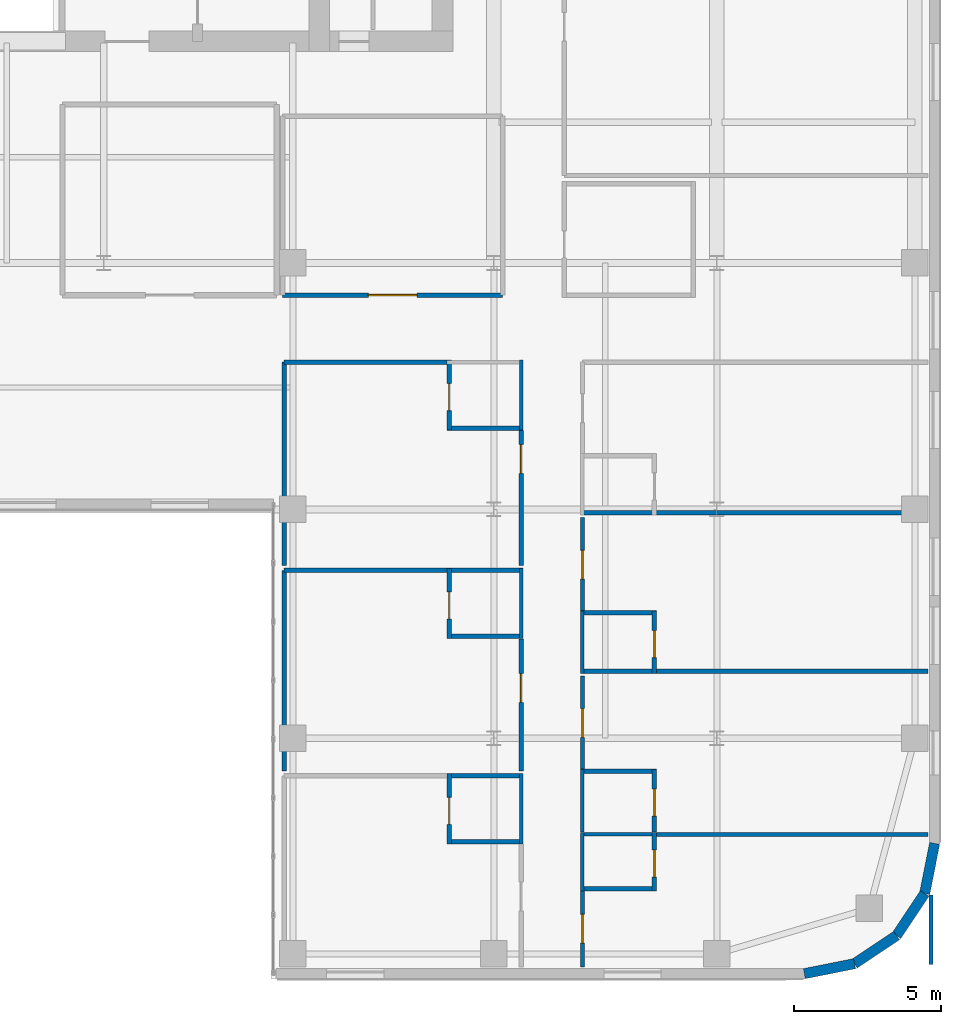
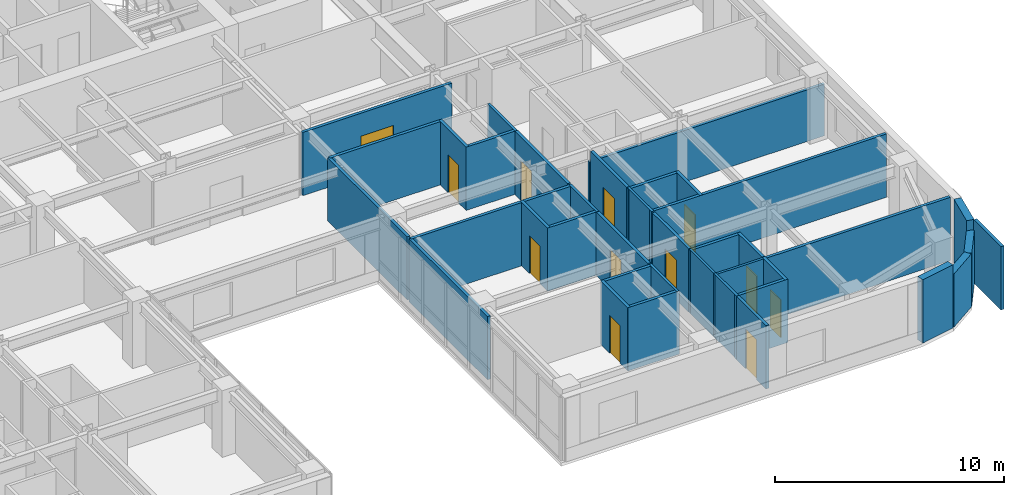
# One storey, part 16 of 25: 39 walls, 12 doors, 12 openings.
"""IFC4 building model written with IfcOpenShell, lengths in metres."""

from ifc_helpers import new_model, si_unit, direction, frame, frame_2d, origin, place, context, subcontext, project, spatial, rectangle, extrude, source, transform, mapped, material, layer, layer_set, type_object, type_shapes, element, fill, save


model = new_model("IFC4")

# Units and contexts
model_context = context("Model", 3, precision=1e-05, world=origin(), true_north=direction((0.0, 1.0)))
body_context = subcontext(model_context, "Body", "Model", "MODEL_VIEW")
ifc_project = project(units=[si_unit("LENGTHUNIT", "METRE"), si_unit("AREAUNIT", "SQUARE_METRE"), si_unit("VOLUMEUNIT", "CUBIC_METRE"), si_unit("PLANEANGLEUNIT", "RADIAN"), si_unit("MASSUNIT", "GRAM", prefix="KILO")], contexts=[model_context])

# Site, building, storey
site_placement = place(None, origin())
site = spatial("IfcSite", under=ifc_project, at=site_placement, CompositionType="ELEMENT")
building_placement = place(site_placement, origin())
building = spatial("IfcBuilding", under=site, at=building_placement, Name="Tolvann Quenvar Hotel", CompositionType="ELEMENT")
storey_placement = place(building_placement, frame((0.0, 0.0, 111.550048828125)))
storey = spatial("IfcBuildingStorey", under=building, at=storey_placement, Name="L28", CompositionType="ELEMENT", Elevation=111.550048828125)

# Walls
ifc_material_1 = material(Name="Kiln-fired red and buff architectural clay brickwork and terracotta masonry", Category="masonry")
ifc_layer_1 = layer(ifc_material_1, 0.35009765625)
ifc_layer_set_1 = layer_set([ifc_layer_1], Name="Kiln-fired red and buff architectural clay brickwork and terracotta masonry")
wall_type_1 = type_object("IfcWallType", Name="WALL_EXT_BRICK_350", PredefinedType="SOLIDWALL", material=ifc_layer_set_1)
wall_1_placement = place(storey_placement, frame((52.3828125, 0.175048828125, 0.0), z_axis=(0.0, 0.0, 1.0), x_axis=(0.980800971659, 0.195011420161, 0.0)))
element("IfcWall", 1, at=wall_1_placement, inside=storey, type_object=wall_type_1, Name="Exterior Chicago Brick Wall L28-E09", PredefinedType="SOLIDWALL", context=body_context, shape_type="SweptSolid", body=[
    extrude(rectangle(XDim=1.74267578125, YDim=0.35009765625, at=frame_2d((0.871337890625, 0.0))), origin(), (0.0, 0.0, 1.0), 3.369873046875),
])
for number, where, z_axis, x_axis, name in (
    (2, (54.092041015625, 0.514892578125, 0.0), (0.0, 0.0, 1.0), (0.831483840845, 0.55554893791, 0.0), "Exterior Chicago Brick Wall L28-E10"),
    (3, (55.526611328125, 1.473388671875, 0.0), (0.0, 0.0, 1.0), (0.55554893791, 0.831483840845, 0.0), "Exterior Chicago Brick Wall L28-E11"),
):
    element("IfcWall", number, at=place(storey_placement, frame(where, z_axis=z_axis, x_axis=x_axis)), inside=storey, type_object=wall_type_1, Name=name, PredefinedType="SOLIDWALL", context=body_context, shape_type="SweptSolid", body=[
        extrude(rectangle(XDim=1.725341796875, YDim=0.35009765625, at=frame_2d((0.86279296875, 0.0))), origin(), (0.0, 0.0, 1.0), 2.83203125),
    ])
wall_2_placement = place(storey_placement, frame((56.485107421875, 2.907958984375, 0.0), z_axis=(0.0, 0.0, 1.0), x_axis=(0.195011420161, 0.980800971659, 0.0)))
element("IfcWall", 4, at=wall_2_placement, inside=storey, type_object=wall_type_1, Name="Exterior Chicago Brick Wall L28-E12", PredefinedType="SOLIDWALL", context=body_context, shape_type="SweptSolid", body=[
    extrude(rectangle(XDim=1.74267578125, YDim=0.35009765625, at=frame_2d((0.871337890625, 0.0))), origin(), (0.0, 0.0, 1.0), 3.369873046875),
])
ifc_material_2 = material(Name="Moisture-resistant acoustic plumbing wall assembly")
ifc_layer_2 = layer(ifc_material_2, 0.1201171875)
ifc_layer_set_2 = layer_set([ifc_layer_2], Name="Moisture-resistant acoustic plumbing wall assembly")
wall_type_2 = type_object("IfcWallType", Name="WALL_PART_BATH_120", PredefinedType="PLUMBINGWALL", material=ifc_layer_set_2)
for number, where, z_axis, x_axis, name in (
    (5, (42.72998046875, 4.60009765625, 0.0), (0.0, 0.0, 1.0), (0.0, 1.0, 0.0), "Non-Rated Plumbing Partition PT-SPC-L28-ENS-EI01-E"),
    (6, (42.72998046875, 11.60009765625, 0.0), (0.0, 0.0, 1.0), (0.0, 1.0, 0.0), "Non-Rated Plumbing Partition PT-SPC-L28-ENS-EI02-E"),
):
    element("IfcWall", number, at=place(storey_placement, frame(where, z_axis=z_axis, x_axis=x_axis)), inside=storey, type_object=wall_type_2, Name=name, PredefinedType="PLUMBINGWALL", context=body_context, shape_type="SweptSolid", body=[
        extrude(rectangle(XDim=2.389892578125, YDim=0.1201171875, at=frame_2d((1.19482421875, 0.0))), origin(), (0.0, 0.0, 1.0), 3.369873046875),
    ])
wall_3_placement = place(storey_placement, frame((42.72998046875, 18.699951171875, 0.0), z_axis=(0.0, 0.0, 1.0), x_axis=(0.0, 1.0, 0.0)))
element("IfcWall", 7, at=wall_3_placement, inside=storey, type_object=wall_type_2, Name="Non-Rated Plumbing Partition PT-SPC-L28-ENS-EI03-E", PredefinedType="PLUMBINGWALL", context=body_context, shape_type="SweptSolid", body=[
    extrude(rectangle(XDim=2.39013671875, YDim=0.1201171875, at=frame_2d((1.195068359375, 0.0))), origin(), (0.0, 0.0, 1.0), 3.369873046875),
])
wall_4_placement = place(storey_placement, frame((44.75, 4.919921875, 0.0), z_axis=(0.0, 0.0, 1.0), x_axis=(1.0, 0.0, 0.0)))
element("IfcWall", 8, at=wall_4_placement, inside=storey, type_object=wall_type_2, Name="Non-Rated Plumbing Partition PT-SPC-L28-ENS-EO01-N", PredefinedType="PLUMBINGWALL", context=body_context, shape_type="SweptSolid", body=[
    extrude(rectangle(XDim=2.590087890625, YDim=0.1201171875, at=frame_2d((1.294921875, 0.0))), origin(), (0.0, 0.0, 1.0), 3.369873046875),
])
wall_5_placement = place(storey_placement, frame((44.820068359375, 3.0, 0.0), z_axis=(0.0, 0.0, 1.0), x_axis=(0.0, 1.0, 0.0)))
element("IfcWall", 9, at=wall_5_placement, inside=storey, type_object=wall_type_2, Name="Non-Rated Plumbing Partition PT-SPC-L28-ENS-EO01-W", PredefinedType="PLUMBINGWALL", context=body_context, shape_type="SweptSolid", body=[
    extrude(rectangle(XDim=1.989990234375, YDim=0.1201171875, at=frame_2d((0.9951171875, 0.0))), origin(), (0.0, 0.0, 1.0), 3.369873046875),
])
for number, where, z_axis, x_axis, name in (
    (10, (44.820068359375, 5.010009765625, 0.0), (0.0, 0.0, 1.0), (0.0, 1.0, 0.0), "Non-Rated Plumbing Partition PT-SPC-L28-ENS-EO02-W"),
    (11, (44.820068359375, 10.409912109375, 0.0), (0.0, 0.0, 1.0), (0.0, 1.0, 0.0), "Non-Rated Plumbing Partition PT-SPC-L28-ENS-EO03-W"),
):
    element("IfcWall", number, at=place(storey_placement, frame(where, z_axis=z_axis, x_axis=x_axis)), inside=storey, type_object=wall_type_2, Name=name, PredefinedType="PLUMBINGWALL", context=body_context, shape_type="SweptSolid", body=[
        extrude(rectangle(XDim=2.131103515625, YDim=0.1201171875, at=frame_2d((1.0654296875, 0.0))), origin(), (0.0, 0.0, 1.0), 3.369873046875),
    ])

# Wall, opening, door
ifc_material_3 = material(Name="Acoustic twin-stud fire-rated gypsum plasterboard partition")
ifc_layer_3 = layer(ifc_material_3, 0.14990234375)
ifc_layer_set_3 = layer_set([ifc_layer_3], Name="Acoustic twin-stud fire-rated gypsum plasterboard partition")
wall_type_3 = type_object("IfcWallType", Name="WALL_PART_SUITE_150", PredefinedType="PARTITIONING", material=ifc_layer_set_3)
wall_6_placement = place(storey_placement, frame((40.280029296875, 4.60009765625, 0.0), z_axis=(0.0, 0.0, 1.0), x_axis=(0.0, 1.0, 0.0)))
wall_6 = element("IfcWall", 12, at=wall_6_placement, inside=storey, type_object=wall_type_3, Name="Interior Partition PT-SPC-L28-ENS-EI01-ENT", PredefinedType="PARTITIONING", context=body_context, shape_type="SweptSolid", body=[
    extrude(rectangle(XDim=2.389892578125, YDim=0.14990234375, at=frame_2d((1.19482421875, 0.0))), origin(), (0.0, 0.0, 1.0), 3.369873046875),
])
opening_1_placement = place(wall_6_placement, frame((0.6650390625, 0.0, 0.0)))
opening_1 = element("IfcOpeningElement", 13, at=opening_1_placement, cuts=wall_6, Name="Opening WD-01", PredefinedType="OPENING", context=body_context, shape_type="SweptSolid", body=[
    extrude(rectangle(XDim=0.919921875, YDim=2.010009765625, at=frame_2d((0.4599609375, 1.0048828125))), frame((0.0, 0.0849609375, 0.0), z_axis=(0.0, -1.0, 0.0), x_axis=(1.0, 0.0, 0.0)), (0.0, 0.0, 1.0), 0.169921875),
])
ifc_material_4 = material(Name="Solid-core American oak acoustic fire door leaf in steel frame", Category="steel")
door_type_1 = type_object("IfcDoorType", Name="DOOR_WC_920", OperationType="NOTDEFINED", PredefinedType="DOOR", material=ifc_material_4)
shared_shape_1 = source(origin(), body_context, "Body", "SweptSolid", [
    extrude(rectangle(XDim=0.919921875, YDim=2.010009765625, at=frame_2d((0.4599609375, 1.0048828125))), frame((0.0, 0.02490234375, 0.0), z_axis=(0.0, -1.0, 0.0), x_axis=(1.0, 0.0, 0.0)), (0.0, 0.0, 1.0), 0.050048828125),
])
type_shapes(door_type_1, [shared_shape_1])
door_1_placement = place(opening_1_placement, origin())
door_1 = element("IfcDoor", 14, at=door_1_placement, inside=storey, type_object=door_type_1, Name="Interior Door DOOR-SPC-L28-ENS-EI01", OperationType="SINGLE_SWING_RIGHT", OverallHeight=2.010009765625, OverallWidth=0.919921875, PredefinedType="DOOR", context=body_context, shape_type="MappedRepresentation", body=[
    mapped(shared_shape_1, transform((0.0, 0.0, 0.0), x_axis=(1.0, 0.0, 0.0), y_axis=(0.0, 1.0, 0.0), z_axis=(0.0, 0.0, 1.0), scale=1.0)),
])
fill(opening_1, door_1)

# Walls
for number, where, z_axis, x_axis, name in (
    (15, (40.2099609375, 4.669921875, 0.0), (0.0, 0.0, 1.0), (1.0, 0.0, 0.0), "Interior Partition PT-SPC-L28-ENS-EI01-S"),
    (16, (40.2099609375, 6.919921875, 0.0), (0.0, 0.0, 1.0), (1.0, 0.0, 0.0), "Interior Partition PT-SPC-L28-ENS-EI01-N"),
):
    element("IfcWall", number, at=place(storey_placement, frame(where, z_axis=z_axis, x_axis=x_axis)), inside=storey, type_object=wall_type_3, Name=name, PredefinedType="PARTITIONING", context=body_context, shape_type="SweptSolid", body=[
        extrude(rectangle(XDim=2.590087890625, YDim=0.14990234375, at=frame_2d((1.294921875, 0.0))), origin(), (0.0, 0.0, 1.0), 3.369873046875),
    ])

# Wall, opening, door
wall_7_placement = place(storey_placement, frame((40.280029296875, 11.60009765625, 0.0), z_axis=(0.0, 0.0, 1.0), x_axis=(0.0, 1.0, 0.0)))
wall_7 = element("IfcWall", 17, at=wall_7_placement, inside=storey, type_object=wall_type_3, Name="Interior Partition PT-SPC-L28-ENS-EI02-ENT", PredefinedType="PARTITIONING", context=body_context, shape_type="SweptSolid", body=[
    extrude(rectangle(XDim=2.389892578125, YDim=0.14990234375, at=frame_2d((1.19482421875, 0.0))), origin(), (0.0, 0.0, 1.0), 3.369873046875),
])
opening_2_placement = place(wall_7_placement, frame((0.6650390625, 0.0, 0.0)))
opening_2 = element("IfcOpeningElement", 18, at=opening_2_placement, cuts=wall_7, Name="Opening WD-01", PredefinedType="OPENING", context=body_context, shape_type="SweptSolid", body=[
    extrude(rectangle(XDim=0.919921875, YDim=2.010009765625, at=frame_2d((0.4599609375, 1.0048828125))), frame((0.0, 0.0849609375, 0.0), z_axis=(0.0, -1.0, 0.0), x_axis=(1.0, 0.0, 0.0)), (0.0, 0.0, 1.0), 0.169921875),
])
door_2_placement = place(opening_2_placement, origin())
door_2 = element("IfcDoor", 19, at=door_2_placement, inside=storey, type_object=door_type_1, Name="Interior Door DOOR-SPC-L28-ENS-EI02", OperationType="SINGLE_SWING_LEFT", OverallHeight=2.010009765625, OverallWidth=0.919921875, PredefinedType="DOOR", context=body_context, shape_type="MappedRepresentation", body=[
    mapped(shared_shape_1, transform((0.0, 0.0, 0.0), x_axis=(1.0, 0.0, 0.0), y_axis=(0.0, 1.0, 0.0), z_axis=(0.0, 0.0, 1.0), scale=1.0)),
])
fill(opening_2, door_2)

# Walls
for number, where, z_axis, x_axis, name in (
    (20, (40.2099609375, 11.669921875, 0.0), (0.0, 0.0, 1.0), (1.0, 0.0, 0.0), "Interior Partition PT-SPC-L28-ENS-EI02-S"),
    (21, (40.2099609375, 13.919921875, 0.0), (0.0, 0.0, 1.0), (1.0, 0.0, 0.0), "Interior Partition PT-SPC-L28-ENS-EI02-N"),
):
    element("IfcWall", number, at=place(storey_placement, frame(where, z_axis=z_axis, x_axis=x_axis)), inside=storey, type_object=wall_type_3, Name=name, PredefinedType="PARTITIONING", context=body_context, shape_type="SweptSolid", body=[
        extrude(rectangle(XDim=2.590087890625, YDim=0.14990234375, at=frame_2d((1.294921875, 0.0))), origin(), (0.0, 0.0, 1.0), 3.369873046875),
    ])

# Wall, opening, door
wall_8_placement = place(storey_placement, frame((40.280029296875, 18.699951171875, 0.0), z_axis=(0.0, 0.0, 1.0), x_axis=(0.0, 1.0, 0.0)))
wall_8 = element("IfcWall", 22, at=wall_8_placement, inside=storey, type_object=wall_type_3, Name="Interior Partition PT-SPC-L28-ENS-EI03-ENT", PredefinedType="PARTITIONING", context=body_context, shape_type="SweptSolid", body=[
    extrude(rectangle(XDim=2.39013671875, YDim=0.14990234375, at=frame_2d((1.195068359375, 0.0))), origin(), (0.0, 0.0, 1.0), 3.369873046875),
])
opening_3_placement = place(wall_8_placement, frame((0.6650390625, 0.0, 0.0)))
opening_3 = element("IfcOpeningElement", 23, at=opening_3_placement, cuts=wall_8, Name="Opening WD-01", PredefinedType="OPENING", context=body_context, shape_type="SweptSolid", body=[
    extrude(rectangle(XDim=0.919921875, YDim=2.010009765625, at=frame_2d((0.4599609375, 1.0048828125))), frame((0.0, 0.0849609375, 0.0), z_axis=(0.0, -1.0, 0.0), x_axis=(1.0, 0.0, 0.0)), (0.0, 0.0, 1.0), 0.169921875),
])
door_3_placement = place(opening_3_placement, origin())
door_3 = element("IfcDoor", 24, at=door_3_placement, inside=storey, type_object=door_type_1, Name="Interior Door DOOR-SPC-L28-ENS-EI03", OperationType="SINGLE_SWING_RIGHT", OverallHeight=2.010009765625, OverallWidth=0.919921875, PredefinedType="DOOR", context=body_context, shape_type="MappedRepresentation", body=[
    mapped(shared_shape_1, transform((0.0, 0.0, 0.0), x_axis=(1.0, 0.0, 0.0), y_axis=(0.0, 1.0, 0.0), z_axis=(0.0, 0.0, 1.0), scale=1.0)),
])
fill(opening_3, door_3)

# Wall
wall_9_placement = place(storey_placement, frame((40.2099609375, 18.77001953125, 0.0), z_axis=(0.0, 0.0, 1.0), x_axis=(1.0, 0.0, 0.0)))
element("IfcWall", 25, at=wall_9_placement, inside=storey, type_object=wall_type_3, Name="Interior Partition PT-SPC-L28-ENS-EI03-S", PredefinedType="PARTITIONING", context=body_context, shape_type="SweptSolid", body=[
    extrude(rectangle(XDim=2.590087890625, YDim=0.14990234375, at=frame_2d((1.294921875, 0.0))), origin(), (0.0, 0.0, 1.0), 3.369873046875),
])

# Wall, opening, door
wall_10_placement = place(storey_placement, frame((47.27001953125, 3.0, 0.0), z_axis=(0.0, 0.0, 1.0), x_axis=(0.0, 1.0, 0.0)))
wall_10 = element("IfcWall", 26, at=wall_10_placement, inside=storey, type_object=wall_type_3, Name="Interior Partition PT-SPC-L28-ENS-EO01-ENT", PredefinedType="PARTITIONING", context=body_context, shape_type="SweptSolid", body=[
    extrude(rectangle(XDim=1.989990234375, YDim=0.14990234375, at=frame_2d((0.9951171875, 0.0))), origin(), (0.0, 0.0, 1.0), 3.369873046875),
])
opening_4_placement = place(wall_10_placement, frame((0.465087890625, 0.0, 0.0)))
opening_4 = element("IfcOpeningElement", 27, at=opening_4_placement, cuts=wall_10, Name="Opening WD-01", PredefinedType="OPENING", context=body_context, shape_type="SweptSolid", body=[
    extrude(rectangle(XDim=0.919921875, YDim=2.010009765625, at=frame_2d((0.4599609375, 1.0048828125))), frame((0.0, 0.0849609375, 0.0), z_axis=(0.0, -1.0, 0.0), x_axis=(1.0, 0.0, 0.0)), (0.0, 0.0, 1.0), 0.169921875),
])
door_4_placement = place(opening_4_placement, origin())
door_4 = element("IfcDoor", 28, at=door_4_placement, inside=storey, type_object=door_type_1, Name="Interior Door DOOR-SPC-L28-ENS-EO01", OperationType="SINGLE_SWING_LEFT", OverallHeight=2.010009765625, OverallWidth=0.919921875, PredefinedType="DOOR", context=body_context, shape_type="MappedRepresentation", body=[
    mapped(shared_shape_1, transform((0.0, 0.0, 0.0), x_axis=(1.0, 0.0, 0.0), y_axis=(0.0, 1.0, 0.0), z_axis=(0.0, 0.0, 1.0), scale=1.0)),
])
fill(opening_4, door_4)

# Wall
wall_11_placement = place(storey_placement, frame((44.75, 3.070068359375, 0.0), z_axis=(0.0, 0.0, 1.0), x_axis=(1.0, 0.0, 0.0)))
element("IfcWall", 29, at=wall_11_placement, inside=storey, type_object=wall_type_3, Name="Interior Partition PT-SPC-L28-ENS-EO01-S", PredefinedType="PARTITIONING", context=body_context, shape_type="SweptSolid", body=[
    extrude(rectangle(XDim=2.590087890625, YDim=0.14990234375, at=frame_2d((1.294921875, 0.0))), origin(), (0.0, 0.0, 1.0), 3.369873046875),
])

# Wall, opening, door
wall_12_placement = place(storey_placement, frame((47.27001953125, 5.010009765625, 0.0), z_axis=(0.0, 0.0, 1.0), x_axis=(0.0, 1.0, 0.0)))
wall_12 = element("IfcWall", 30, at=wall_12_placement, inside=storey, type_object=wall_type_3, Name="Interior Partition PT-SPC-L28-ENS-EO02-ENT", PredefinedType="PARTITIONING", context=body_context, shape_type="SweptSolid", body=[
    extrude(rectangle(XDim=2.131103515625, YDim=0.14990234375, at=frame_2d((1.0654296875, 0.0))), origin(), (0.0, 0.0, 1.0), 3.369873046875),
])
opening_5_placement = place(wall_12_placement, frame((0.535400390625, 0.0, 0.0)))
opening_5 = element("IfcOpeningElement", 31, at=opening_5_placement, cuts=wall_12, Name="Opening WD-01", PredefinedType="OPENING", context=body_context, shape_type="SweptSolid", body=[
    extrude(rectangle(XDim=0.919921875, YDim=2.010009765625, at=frame_2d((0.4599609375, 1.0048828125))), frame((0.0, 0.0849609375, 0.0), z_axis=(0.0, -1.0, 0.0), x_axis=(1.0, 0.0, 0.0)), (0.0, 0.0, 1.0), 0.169921875),
])
door_5_placement = place(opening_5_placement, origin())
door_5 = element("IfcDoor", 32, at=door_5_placement, inside=storey, type_object=door_type_1, Name="Interior Door DOOR-SPC-L28-ENS-EO02", OperationType="SINGLE_SWING_RIGHT", OverallHeight=2.010009765625, OverallWidth=0.919921875, PredefinedType="DOOR", context=body_context, shape_type="MappedRepresentation", body=[
    mapped(shared_shape_1, transform((0.0, 0.0, 0.0), x_axis=(1.0, 0.0, 0.0), y_axis=(0.0, 1.0, 0.0), z_axis=(0.0, 0.0, 1.0), scale=1.0)),
])
fill(opening_5, door_5)

# Wall
wall_13_placement = place(storey_placement, frame((44.75, 7.071044921875, 0.0), z_axis=(0.0, 0.0, 1.0), x_axis=(1.0, 0.0, 0.0)))
element("IfcWall", 33, at=wall_13_placement, inside=storey, type_object=wall_type_3, Name="Interior Partition PT-SPC-L28-ENS-EO02-N", PredefinedType="PARTITIONING", context=body_context, shape_type="SweptSolid", body=[
    extrude(rectangle(XDim=2.590087890625, YDim=0.14990234375, at=frame_2d((1.294921875, 0.0))), origin(), (0.0, 0.0, 1.0), 3.369873046875),
])

# Wall, opening, door
wall_14_placement = place(storey_placement, frame((47.27001953125, 10.409912109375, 0.0), z_axis=(0.0, 0.0, 1.0), x_axis=(0.0, 1.0, 0.0)))
wall_14 = element("IfcWall", 34, at=wall_14_placement, inside=storey, type_object=wall_type_3, Name="Interior Partition PT-SPC-L28-ENS-EO03-ENT", PredefinedType="PARTITIONING", context=body_context, shape_type="SweptSolid", body=[
    extrude(rectangle(XDim=2.131103515625, YDim=0.14990234375, at=frame_2d((1.0654296875, 0.0))), origin(), (0.0, 0.0, 1.0), 3.369873046875),
])
opening_6_placement = place(wall_14_placement, frame((0.535400390625, 0.0, 0.0)))
opening_6 = element("IfcOpeningElement", 35, at=opening_6_placement, cuts=wall_14, Name="Opening WD-01", PredefinedType="OPENING", context=body_context, shape_type="SweptSolid", body=[
    extrude(rectangle(XDim=0.919921875, YDim=2.010009765625, at=frame_2d((0.4599609375, 1.0048828125))), frame((0.0, 0.0849609375, 0.0), z_axis=(0.0, -1.0, 0.0), x_axis=(1.0, 0.0, 0.0)), (0.0, 0.0, 1.0), 0.169921875),
])
door_6_placement = place(opening_6_placement, origin())
door_6 = element("IfcDoor", 36, at=door_6_placement, inside=storey, type_object=door_type_1, Name="Interior Door DOOR-SPC-L28-ENS-EO03", OperationType="SINGLE_SWING_LEFT", OverallHeight=2.010009765625, OverallWidth=0.919921875, PredefinedType="DOOR", context=body_context, shape_type="MappedRepresentation", body=[
    mapped(shared_shape_1, transform((0.0, 0.0, 0.0), x_axis=(1.0, 0.0, 0.0), y_axis=(0.0, 1.0, 0.0), z_axis=(0.0, 0.0, 1.0), scale=1.0)),
])
fill(opening_6, door_6)

# Walls
wall_15_placement = place(storey_placement, frame((44.75, 10.47998046875, 0.0), z_axis=(0.0, 0.0, 1.0), x_axis=(1.0, 0.0, 0.0)))
element("IfcWall", 37, at=wall_15_placement, inside=storey, type_object=wall_type_3, Name="Interior Partition PT-SPC-L28-ENS-EO03-S", PredefinedType="PARTITIONING", context=body_context, shape_type="SweptSolid", body=[
    extrude(rectangle(XDim=11.844970703125, YDim=0.14990234375, at=frame_2d((5.92236328125, 0.0))), origin(), (0.0, 0.0, 1.0), 3.369873046875),
])
wall_16_placement = place(storey_placement, frame((44.75, 12.470947265625, 0.0), z_axis=(0.0, 0.0, 1.0), x_axis=(1.0, 0.0, 0.0)))
element("IfcWall", 38, at=wall_16_placement, inside=storey, type_object=wall_type_3, Name="Interior Partition PT-SPC-L28-ENS-EO03-N", PredefinedType="PARTITIONING", context=body_context, shape_type="SweptSolid", body=[
    extrude(rectangle(XDim=2.590087890625, YDim=0.14990234375, at=frame_2d((1.294921875, 0.0))), origin(), (0.0, 0.0, 1.0), 3.369873046875),
])
wall_17_placement = place(storey_placement, frame((44.75, 15.8798828125, 0.0), z_axis=(0.0, 0.0, 1.0), x_axis=(1.0, 0.0, 0.0)))
element("IfcWall", 39, at=wall_17_placement, inside=storey, type_object=wall_type_3, Name="Interior Partition PT-SPC-L28-ENS-EO04-S", PredefinedType="PARTITIONING", context=body_context, shape_type="SweptSolid", body=[
    extrude(rectangle(XDim=11.844970703125, YDim=0.14990234375, at=frame_2d((5.92236328125, 0.0))), origin(), (0.0, 0.0, 1.0), 2.748046875),
])

# Wall, opening, door
wall_18_placement = place(storey_placement, frame((42.72998046875, 7.080078125, 0.0), z_axis=(0.0, 0.0, 1.0), x_axis=(0.0, 1.0, 0.0)))
wall_18 = element("IfcWall", 40, at=wall_18_placement, inside=storey, type_object=wall_type_3, Name="Interior Partition PT-SPC-L28-RM-EI02-ENT", PredefinedType="PARTITIONING", context=body_context, shape_type="SweptSolid", body=[
    extrude(rectangle(XDim=4.510009765625, YDim=0.14990234375, at=frame_2d((2.2548828125, 0.0))), origin(), (0.0, 0.0, 1.0), 3.369873046875),
])
opening_7_placement = place(wall_18_placement, frame((2.344970703125, 0.0, 0.0)))
opening_7 = element("IfcOpeningElement", 41, at=opening_7_placement, cuts=wall_18, Name="Opening SD-01", PredefinedType="OPENING", context=body_context, shape_type="SweptSolid", body=[
    extrude(rectangle(XDim=0.97998046875, YDim=2.1201171875, at=frame_2d((0.489990234375, 1.06005859375))), frame((0.0, 0.0849609375, 0.0), z_axis=(0.0, -1.0, 0.0), x_axis=(1.0, 0.0, 0.0)), (0.0, 0.0, 1.0), 0.169921875),
])
door_type_2 = type_object("IfcDoorType", Name="DOOR_SUITE_980", OperationType="NOTDEFINED", PredefinedType="DOOR", material=ifc_material_4)
shared_shape_2 = source(origin(), body_context, "Body", "SweptSolid", [
    extrude(rectangle(XDim=0.97998046875, YDim=2.1201171875, at=frame_2d((0.489990234375, 1.06005859375))), frame((0.0, 0.02490234375, 0.0), z_axis=(0.0, -1.0, 0.0), x_axis=(1.0, 0.0, 0.0)), (0.0, 0.0, 1.0), 0.050048828125),
])
type_shapes(door_type_2, [shared_shape_2])
door_7_placement = place(opening_7_placement, origin())
door_7 = element("IfcDoor", 42, at=door_7_placement, inside=storey, type_object=door_type_2, Name="Interior Door DOOR-SPC-L28-RM-EI02", OperationType="SINGLE_SWING_RIGHT", OverallHeight=2.1201171875, OverallWidth=0.97998046875, PredefinedType="DOOR", context=body_context, shape_type="MappedRepresentation", body=[
    mapped(shared_shape_2, transform((0.0, 0.0, 0.0), x_axis=(1.0, 0.0, 0.0), y_axis=(0.0, 1.0, 0.0), z_axis=(0.0, 0.0, 1.0), scale=1.0)),
])
fill(opening_7, door_7)

# Walls
wall_19_placement = place(storey_placement, frame((34.64990234375, 13.919921875, 0.0), z_axis=(0.0, 0.0, 1.0), x_axis=(1.0, 0.0, 0.0)))
element("IfcWall", 43, at=wall_19_placement, inside=storey, type_object=wall_type_3, Name="Interior Partition PT-SPC-L28-RM-EI02-E5", PredefinedType="PARTITIONING", context=body_context, shape_type="SweptSolid", body=[
    extrude(rectangle(XDim=5.610107421875, YDim=0.14990234375, at=frame_2d((2.80517578125, 0.0))), origin(), (0.0, 0.0, 1.0), 3.369873046875),
])
wall_20_placement = place(storey_placement, frame((34.64990234375, 7.080078125, 0.0), z_axis=(0.0, 0.0, 1.0), x_axis=(0.0, 1.0, 0.0)))
element("IfcWall", 44, at=wall_20_placement, inside=storey, type_object=wall_type_3, Name="Interior Partition PT-SPC-L28-RM-EI02-E6", PredefinedType="PARTITIONING", context=body_context, shape_type="SweptSolid", body=[
    extrude(rectangle(XDim=6.83984375, YDim=0.14990234375, at=frame_2d((3.419921875, 0.0))), origin(), (0.0, 0.0, 1.0), 3.369873046875),
])

# Wall, opening, door
wall_21_placement = place(storey_placement, frame((42.72998046875, 14.080078125, 0.0), z_axis=(0.0, 0.0, 1.0), x_axis=(0.0, 1.0, 0.0)))
wall_21 = element("IfcWall", 45, at=wall_21_placement, inside=storey, type_object=wall_type_3, Name="Interior Partition PT-SPC-L28-RM-EI03-ENT", PredefinedType="PARTITIONING", context=body_context, shape_type="SweptSolid", body=[
    extrude(rectangle(XDim=4.60986328125, YDim=0.14990234375, at=frame_2d((2.304931640625, 0.0))), origin(), (0.0, 0.0, 1.0), 3.369873046875),
])
opening_8_placement = place(wall_21_placement, frame((3.14501953125, 0.0, 0.0)))
opening_8 = element("IfcOpeningElement", 46, at=opening_8_placement, cuts=wall_21, Name="Opening SD-01", PredefinedType="OPENING", context=body_context, shape_type="SweptSolid", body=[
    extrude(rectangle(XDim=0.97998046875, YDim=2.1201171875, at=frame_2d((0.489990234375, 1.06005859375))), frame((0.0, 0.0849609375, 0.0), z_axis=(0.0, -1.0, 0.0), x_axis=(1.0, 0.0, 0.0)), (0.0, 0.0, 1.0), 0.169921875),
])
door_8_placement = place(opening_8_placement, origin())
door_8 = element("IfcDoor", 47, at=door_8_placement, inside=storey, type_object=door_type_2, Name="Interior Door DOOR-SPC-L28-RM-EI03", OperationType="SINGLE_SWING_LEFT", OverallHeight=2.1201171875, OverallWidth=0.97998046875, PredefinedType="DOOR", context=body_context, shape_type="MappedRepresentation", body=[
    mapped(shared_shape_2, transform((0.0, 0.0, 0.0), x_axis=(1.0, 0.0, 0.0), y_axis=(0.0, 1.0, 0.0), z_axis=(0.0, 0.0, 1.0), scale=1.0)),
])
fill(opening_8, door_8)

# Walls
wall_22_placement = place(storey_placement, frame((34.64990234375, 21.02001953125, 0.0), z_axis=(0.0, 0.0, 1.0), x_axis=(1.0, 0.0, 0.0)))
element("IfcWall", 48, at=wall_22_placement, inside=storey, type_object=wall_type_3, Name="Interior Partition PT-SPC-L28-RM-EI03-E5", PredefinedType="PARTITIONING", context=body_context, shape_type="SweptSolid", body=[
    extrude(rectangle(XDim=5.610107421875, YDim=0.14990234375, at=frame_2d((2.80517578125, 0.0))), origin(), (0.0, 0.0, 1.0), 3.369873046875),
])
wall_23_placement = place(storey_placement, frame((34.64990234375, 14.080078125, 0.0), z_axis=(0.0, 0.0, 1.0), x_axis=(0.0, 1.0, 0.0)))
element("IfcWall", 49, at=wall_23_placement, inside=storey, type_object=wall_type_3, Name="Interior Partition PT-SPC-L28-RM-EI03-E6", PredefinedType="PARTITIONING", context=body_context, shape_type="SweptSolid", body=[
    extrude(rectangle(XDim=6.93994140625, YDim=0.14990234375, at=frame_2d((3.469970703125, 0.0))), origin(), (0.0, 0.0, 1.0), 3.369873046875),
])

# Wall, opening, door
wall_24_placement = place(storey_placement, frame((44.820068359375, 0.405029296875, 0.0), z_axis=(0.0, 0.0, 1.0), x_axis=(0.0, 1.0, 0.0)))
wall_24 = element("IfcWall", 50, at=wall_24_placement, inside=storey, type_object=wall_type_3, Name="Interior Partition PT-SPC-L28-RM-EO01-ENT", PredefinedType="PARTITIONING", context=body_context, shape_type="SweptSolid", body=[
    extrude(rectangle(XDim=2.5849609375, YDim=0.14990234375, at=frame_2d((1.29248046875, 0.0))), origin(), (0.0, 0.0, 1.0), 3.369873046875),
])
opening_9_placement = place(wall_24_placement, frame((0.81005859375, 0.0, 0.0)))
opening_9 = element("IfcOpeningElement", 51, at=opening_9_placement, cuts=wall_24, Name="Opening SD-01", PredefinedType="OPENING", context=body_context, shape_type="SweptSolid", body=[
    extrude(rectangle(XDim=0.97998046875, YDim=2.1201171875, at=frame_2d((0.489990234375, 1.06005859375))), frame((0.0, 0.0849609375, 0.0), z_axis=(0.0, -1.0, 0.0), x_axis=(1.0, 0.0, 0.0)), (0.0, 0.0, 1.0), 0.169921875),
])
door_9_placement = place(opening_9_placement, origin())
door_9 = element("IfcDoor", 52, at=door_9_placement, inside=storey, type_object=door_type_2, Name="Interior Door DOOR-SPC-L28-RM-EO01", OperationType="SINGLE_SWING_RIGHT", OverallHeight=2.1201171875, OverallWidth=0.97998046875, PredefinedType="DOOR", context=body_context, shape_type="MappedRepresentation", body=[
    mapped(shared_shape_2, transform((0.0, 0.0, 0.0), x_axis=(1.0, 0.0, 0.0), y_axis=(0.0, 1.0, 0.0), z_axis=(0.0, 0.0, 1.0), scale=1.0)),
])
fill(opening_9, door_9)

# Walls
wall_25_placement = place(storey_placement, frame((56.699951171875, 0.47998046875, 0.0), z_axis=(0.0, 0.0, 1.0), x_axis=(0.0, 1.0, 0.0)))
element("IfcWall", 53, at=wall_25_placement, inside=storey, type_object=wall_type_3, Name="Interior Partition PT-SPC-L28-RM-EO01-E2", PredefinedType="PARTITIONING", context=body_context, shape_type="SweptSolid", body=[
    extrude(rectangle(XDim=2.385009765625, YDim=0.14990234375, at=frame_2d((1.1923828125, 0.0))), origin(), (0.0, 0.0, 1.0), 3.369873046875),
])
wall_26_placement = place(storey_placement, frame((47.2900390625, 4.919921875, 0.0), z_axis=(0.0, 0.0, 1.0), x_axis=(1.0, 0.0, 0.0)))
element("IfcWall", 54, at=wall_26_placement, inside=storey, type_object=wall_type_3, Name="Interior Partition PT-SPC-L28-RM-EO01-E3", PredefinedType="PARTITIONING", context=body_context, shape_type="SweptSolid", body=[
    extrude(rectangle(XDim=9.304931640625, YDim=0.14990234375, at=frame_2d((4.65234375, 0.0))), origin(), (0.0, 0.0, 1.0), 3.369873046875),
])

# Wall, opening, door
wall_27_placement = place(storey_placement, frame((44.820068359375, 7.15087890625, 0.0), z_axis=(0.0, 0.0, 1.0), x_axis=(0.0, 1.0, 0.0)))
wall_27 = element("IfcWall", 55, at=wall_27_placement, inside=storey, type_object=wall_type_3, Name="Interior Partition PT-SPC-L28-RM-EO02-ENT", PredefinedType="PARTITIONING", context=body_context, shape_type="SweptSolid", body=[
    extrude(rectangle(XDim=3.169189453125, YDim=0.14990234375, at=frame_2d((1.58447265625, 0.0))), origin(), (0.0, 0.0, 1.0), 3.369873046875),
])
opening_10_placement = place(wall_27_placement, frame((1.074462890625, 0.0, 0.0)))
opening_10 = element("IfcOpeningElement", 56, at=opening_10_placement, cuts=wall_27, Name="Opening SD-01", PredefinedType="OPENING", context=body_context, shape_type="SweptSolid", body=[
    extrude(rectangle(XDim=0.97998046875, YDim=2.1201171875, at=frame_2d((0.489990234375, 1.06005859375))), frame((0.0, 0.0849609375, 0.0), z_axis=(0.0, -1.0, 0.0), x_axis=(1.0, 0.0, 0.0)), (0.0, 0.0, 1.0), 0.169921875),
])
door_10_placement = place(opening_10_placement, origin())
door_10 = element("IfcDoor", 57, at=door_10_placement, inside=storey, type_object=door_type_2, Name="Interior Door DOOR-SPC-L28-RM-EO02", OperationType="SINGLE_SWING_LEFT", OverallHeight=2.1201171875, OverallWidth=0.97998046875, PredefinedType="DOOR", context=body_context, shape_type="MappedRepresentation", body=[
    mapped(shared_shape_2, transform((0.0, 0.0, 0.0), x_axis=(1.0, 0.0, 0.0), y_axis=(0.0, 1.0, 0.0), z_axis=(0.0, 0.0, 1.0), scale=1.0)),
])
fill(opening_10, door_10)

wall_28_placement = place(storey_placement, frame((44.820068359375, 12.551025390625, 0.0), z_axis=(0.0, 0.0, 1.0), x_axis=(0.0, 1.0, 0.0)))
wall_28 = element("IfcWall", 58, at=wall_28_placement, inside=storey, type_object=wall_type_3, Name="Interior Partition PT-SPC-L28-RM-EO03-ENT", PredefinedType="PARTITIONING", context=body_context, shape_type="SweptSolid", body=[
    extrude(rectangle(XDim=3.1689453125, YDim=0.14990234375, at=frame_2d((1.58447265625, 0.0))), origin(), (0.0, 0.0, 1.0), 3.369873046875),
])
opening_11_placement = place(wall_28_placement, frame((1.074462890625, 0.0, 0.0)))
opening_11 = element("IfcOpeningElement", 59, at=opening_11_placement, cuts=wall_28, Name="Opening SD-01", PredefinedType="OPENING", context=body_context, shape_type="SweptSolid", body=[
    extrude(rectangle(XDim=0.97998046875, YDim=2.1201171875, at=frame_2d((0.489990234375, 1.06005859375))), frame((0.0, 0.0849609375, 0.0), z_axis=(0.0, -1.0, 0.0), x_axis=(1.0, 0.0, 0.0)), (0.0, 0.0, 1.0), 0.169921875),
])
door_11_placement = place(opening_11_placement, origin())
door_11 = element("IfcDoor", 60, at=door_11_placement, inside=storey, type_object=door_type_2, Name="Interior Door DOOR-SPC-L28-RM-EO03", OperationType="SINGLE_SWING_RIGHT", OverallHeight=2.1201171875, OverallWidth=0.97998046875, PredefinedType="DOOR", context=body_context, shape_type="MappedRepresentation", body=[
    mapped(shared_shape_2, transform((0.0, 0.0, 0.0), x_axis=(1.0, 0.0, 0.0), y_axis=(0.0, 1.0, 0.0), z_axis=(0.0, 0.0, 1.0), scale=1.0)),
])
fill(opening_11, door_11)

wall_29_placement = place(storey_placement, frame((34.60009765625, 23.300048828125, 0.0), z_axis=(0.0, 0.0, 1.0), x_axis=(1.0, 0.0, 0.0)))
wall_29 = element("IfcWall", 61, at=wall_29_placement, inside=storey, type_object=wall_type_3, Name="Interior Partition PT-SPC-L28-MSP-E-S", PredefinedType="PARTITIONING", context=body_context, shape_type="SweptSolid", body=[
    extrude(rectangle(XDim=7.5, YDim=0.14990234375, at=frame_2d((3.75, 0.0))), origin(), (0.0, 0.0, 1.0), 3.369873046875),
])
opening_12_placement = place(wall_29_placement, frame((2.925048828125, 0.0, 0.0)))
opening_12 = element("IfcOpeningElement", 62, at=opening_12_placement, cuts=wall_29, Name="Opening AD-01", PredefinedType="OPENING", context=body_context, shape_type="SweptSolid", body=[
    extrude(rectangle(XDim=1.64990234375, YDim=2.14990234375, at=frame_2d((0.824951171875, 1.074951171875))), frame((0.0, 0.0849609375, 0.0), z_axis=(0.0, -1.0, 0.0), x_axis=(1.0, 0.0, 0.0)), (0.0, 0.0, 1.0), 0.169921875),
])
door_type_3 = type_object("IfcDoorType", Name="DOOR_SALON_1650", OperationType="NOTDEFINED", PredefinedType="DOOR", material=ifc_material_4)
shared_shape_3 = source(origin(), body_context, "Body", "SweptSolid", [
    extrude(rectangle(XDim=1.64990234375, YDim=2.14990234375, at=frame_2d((0.824951171875, 1.074951171875))), frame((0.0, 0.02490234375, 0.0), z_axis=(0.0, -1.0, 0.0), x_axis=(1.0, 0.0, 0.0)), (0.0, 0.0, 1.0), 0.050048828125),
])
type_shapes(door_type_3, [shared_shape_3])
door_12_placement = place(opening_12_placement, origin())
door_12 = element("IfcDoor", 63, at=door_12_placement, inside=storey, type_object=door_type_3, Name="Interior Door DOOR-SPC-L28-MSP-E", OperationType="DOUBLE_DOOR_SINGLE_SWING", OverallHeight=2.14990234375, OverallWidth=1.64990234375, PredefinedType="DOOR", context=body_context, shape_type="MappedRepresentation", body=[
    mapped(shared_shape_3, transform((0.0, 0.0, 0.0), x_axis=(1.0, 0.0, 0.0), y_axis=(0.0, 1.0, 0.0), z_axis=(0.0, 0.0, 1.0), scale=1.0)),
])
fill(opening_12, door_12)

save(model, "model.ifc")
